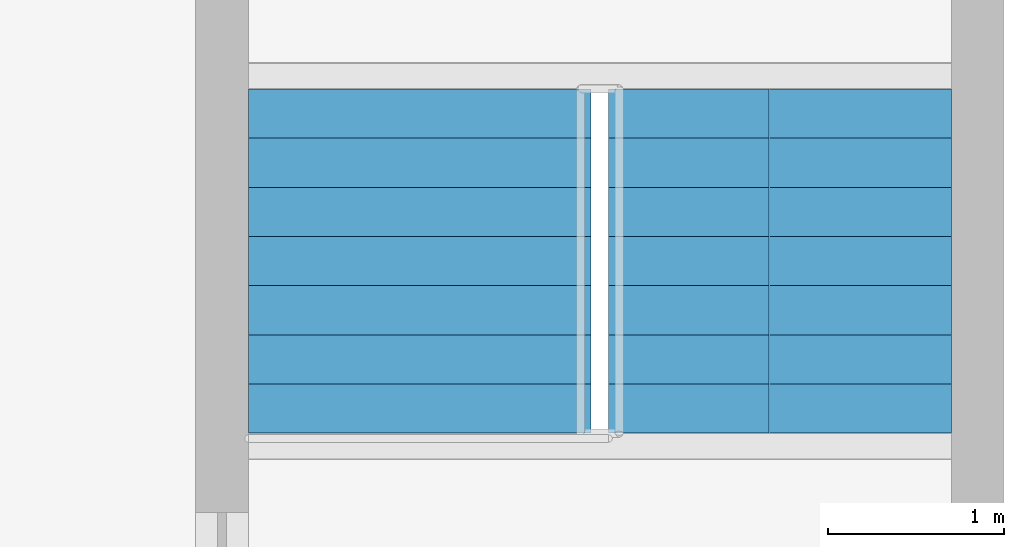
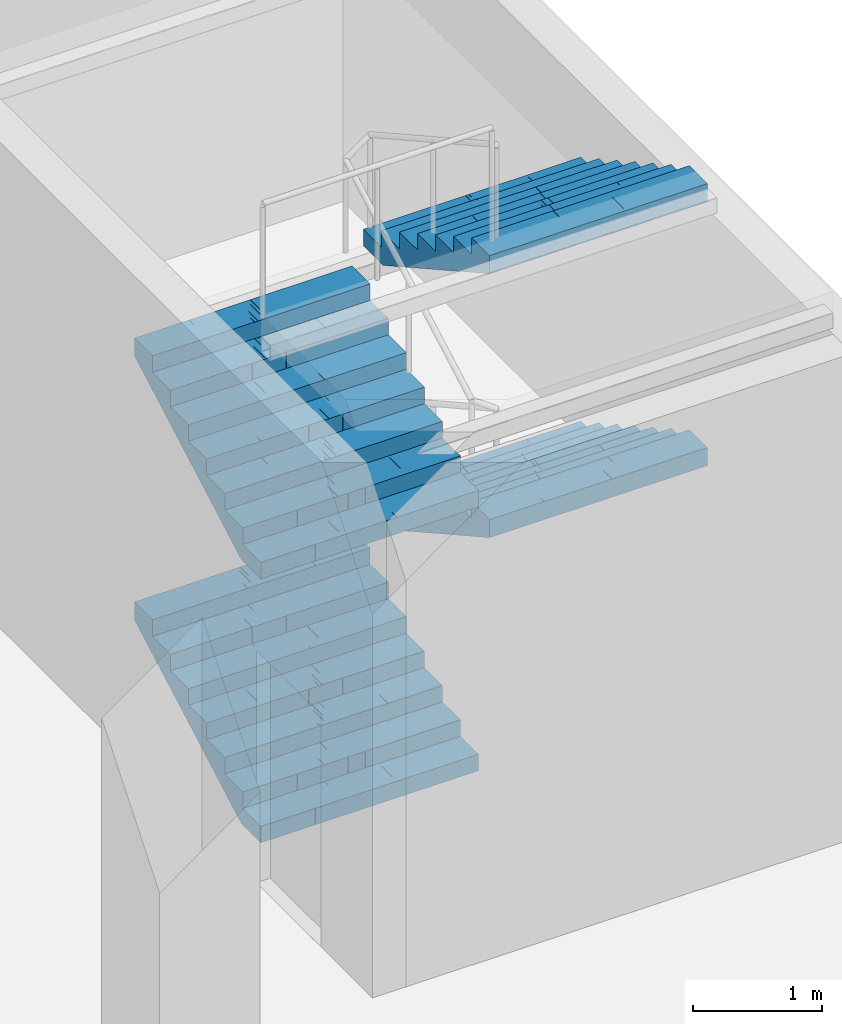
# One storey, part 13 of 20: 4 stair flights, 1 element without a shape of its own.
"""IFC4 building model written with IfcOpenShell, lengths in metres."""

from ifc_helpers import new_model, si_unit, direction, frame, origin, place, context, subcontext, project, spatial, polyline, outline, extrude, material, type_object, element, aggregate, save


model = new_model("IFC4")

# Units and contexts
model_context = context("Model", 3, precision=1e-05, world=origin(), true_north=direction((0.0, 1.0)))
body_context = subcontext(model_context, "Body", "Model", "MODEL_VIEW")
ifc_project = project(units=[si_unit("LENGTHUNIT", "METRE"), si_unit("AREAUNIT", "SQUARE_METRE"), si_unit("VOLUMEUNIT", "CUBIC_METRE"), si_unit("PLANEANGLEUNIT", "RADIAN"), si_unit("MASSUNIT", "GRAM", prefix="KILO")], contexts=[model_context])

# Site, building, storey
site_placement = place(None, origin())
site = spatial("IfcSite", under=ifc_project, at=site_placement, CompositionType="ELEMENT")
building_placement = place(site_placement, origin())
building = spatial("IfcBuilding", under=site, at=building_placement, Name="Mizan Broadcast Tower", CompositionType="ELEMENT")
storey_placement = place(building_placement, frame((0.0, 0.0, -5.0)))
storey = spatial("IfcBuildingStorey", under=building, at=storey_placement, Name="B1", CompositionType="ELEMENT", Elevation=-5.0)

# Stair, stair flights
ifc_material_1 = material(Name="Concrete C40/50", Category="concrete")
stair_type = type_object("IfcStairType", Name="EXIT STAIR", PredefinedType="HALF_TURN_STAIR", material=ifc_material_1)
stair_placement = place(storey_placement, origin())
stair = element("IfcStair", 1, at=stair_placement, inside=storey, type_object=stair_type, Name="Stair H B1", PredefinedType="HALF_TURN_STAIR")
ifc_material_2 = material(Name="Concrete C40/50", Category="concrete")
stair_flight_type = type_object("IfcStairFlightType", Name="EXIT STAIR FLIGHT", PredefinedType="STRAIGHT", material=ifc_material_2)
stair_flight_1_placement = place(storey_placement, frame((44.875, -39.949951171875, 0.0), z_axis=(0.0, 0.0, 1.0), x_axis=(0.0, 1.0, 0.0)))
stair_flight_1 = element("IfcStairFlight", 2, at=stair_flight_1_placement, type_object=stair_flight_type, Name="H flight 1", NumberOfRisers=8, NumberOfTreads=7, PredefinedType="STRAIGHT", RiserHeight=0.15625, TreadLength=0.28, context=body_context, shape_type="SweptSolid", body=[
    extrude(outline(polyline([(0.0, 0.0), (0.0, 0.15625), (0.280029296875, 0.15625), (0.280029296875, 0.3125), (0.56005859375, 0.3125), (0.56005859375, 0.46875), (0.840087890625, 0.46875), (0.840087890625, 0.625), (1.1201171875, 0.625), (1.1201171875, 0.78125), (1.39990234375, 0.78125), (1.39990234375, 0.9375), (1.679931640625, 0.9375), (1.679931640625, 1.09375), (1.9599609375, 1.09375), (1.9599609375, 1.25), (1.9599609375, 0.922119140625), (0.3076171875, 0.0), (0.0, 0.0)])), frame((0.0, 0.97509765625, 0.0), z_axis=(0.0, -1.0, 0.0), x_axis=(1.0, 0.0, 0.0)), (0.0, 0.0, 1.0), 0.4873046875),
    extrude(outline(polyline([(0.0, 0.0), (0.0, 0.15625), (0.280029296875, 0.15625), (0.280029296875, 0.3125), (0.56005859375, 0.3125), (0.56005859375, 0.46875), (0.840087890625, 0.46875), (0.840087890625, 0.625), (1.1201171875, 0.625), (1.1201171875, 0.78125), (1.39990234375, 0.78125), (1.39990234375, 0.9375), (1.679931640625, 0.9375), (1.679931640625, 1.09375), (1.9599609375, 1.09375), (1.9599609375, 1.25), (1.9599609375, 0.922119140625), (0.3076171875, 0.0), (0.0, 0.0)])), frame((0.0, 0.4873046875, 0.0), z_axis=(0.0, -1.0, 0.0), x_axis=(1.0, 0.0, 0.0)), (0.0, 0.0, 1.0), 0.2431640625),
    extrude(outline(polyline([(0.0, 0.0), (0.0, 0.15625), (0.280029296875, 0.15625), (0.280029296875, 0.3125), (0.56005859375, 0.3125), (0.56005859375, 0.46875), (0.840087890625, 0.46875), (0.840087890625, 0.625), (1.1201171875, 0.625), (1.1201171875, 0.78125), (1.39990234375, 0.78125), (1.39990234375, 0.9375), (1.679931640625, 0.9375), (1.679931640625, 1.09375), (1.9599609375, 1.09375), (1.9599609375, 1.25), (1.9599609375, 0.922119140625), (0.3076171875, 0.0), (0.0, 0.0)])), frame((0.0, 0.24365234375, 0.0), z_axis=(0.0, -1.0, 0.0), x_axis=(1.0, 0.0, 0.0)), (0.0, 0.0, 1.0), 0.121337890625),
    extrude(outline(polyline([(0.0, 0.0), (0.0, 0.15625), (0.280029296875, 0.15625), (0.280029296875, 0.3125), (0.56005859375, 0.3125), (0.56005859375, 0.46875), (0.840087890625, 0.46875), (0.840087890625, 0.625), (1.1201171875, 0.625), (1.1201171875, 0.78125), (1.39990234375, 0.78125), (1.39990234375, 0.9375), (1.679931640625, 0.9375), (1.679931640625, 1.09375), (1.9599609375, 1.09375), (1.9599609375, 1.25), (1.9599609375, 0.922119140625), (0.3076171875, 0.0), (0.0, 0.0)])), frame((0.0, 0.121826171875, 0.0), z_axis=(0.0, -1.0, 0.0), x_axis=(1.0, 0.0, 0.0)), (0.0, 0.0, 1.0), 0.060546875),
    extrude(outline(polyline([(0.0, 0.0), (0.0, 0.15625), (0.280029296875, 0.15625), (0.280029296875, 0.3125), (0.56005859375, 0.3125), (0.56005859375, 0.46875), (0.840087890625, 0.46875), (0.840087890625, 0.625), (1.1201171875, 0.625), (1.1201171875, 0.78125), (1.39990234375, 0.78125), (1.39990234375, 0.9375), (1.679931640625, 0.9375), (1.679931640625, 1.09375), (1.9599609375, 1.09375), (1.9599609375, 1.25), (1.9599609375, 0.922119140625), (0.3076171875, 0.0), (0.0, 0.0)])), frame((0.0, 0.060791015625, 0.0), z_axis=(0.0, -1.0, 0.0), x_axis=(1.0, 0.0, 0.0)), (0.0, 0.0, 1.0), 0.030029296875),
    extrude(outline(polyline([(0.0, 0.0), (0.0, 0.15625), (0.280029296875, 0.15625), (0.280029296875, 0.3125), (0.56005859375, 0.3125), (0.56005859375, 0.46875), (0.840087890625, 0.46875), (0.840087890625, 0.625), (1.1201171875, 0.625), (1.1201171875, 0.78125), (1.39990234375, 0.78125), (1.39990234375, 0.9375), (1.679931640625, 0.9375), (1.679931640625, 1.09375), (1.9599609375, 1.09375), (1.9599609375, 1.25), (1.9599609375, 0.922119140625), (0.3076171875, 0.0), (0.0, 0.0)])), frame((0.0, 0.0302734375, 0.0), z_axis=(0.0, -1.0, 0.0), x_axis=(1.0, 0.0, 0.0)), (0.0, 0.0, 1.0), 0.060302734375),
    extrude(outline(polyline([(0.0, 0.0), (0.0, 0.15625), (0.280029296875, 0.15625), (0.280029296875, 0.3125), (0.56005859375, 0.3125), (0.56005859375, 0.46875), (0.840087890625, 0.46875), (0.840087890625, 0.625), (1.1201171875, 0.625), (1.1201171875, 0.78125), (1.39990234375, 0.78125), (1.39990234375, 0.9375), (1.679931640625, 0.9375), (1.679931640625, 1.09375), (1.9599609375, 1.09375), (1.9599609375, 1.25), (1.9599609375, 0.922119140625), (0.3076171875, 0.0), (0.0, 0.0)])), frame((0.0, -0.030517578125, 0.0), z_axis=(0.0, -1.0, 0.0), x_axis=(1.0, 0.0, 0.0)), (0.0, 0.0, 1.0), 0.030029296875),
    extrude(outline(polyline([(0.0, 0.0), (0.0, 0.15625), (0.280029296875, 0.15625), (0.280029296875, 0.3125), (0.56005859375, 0.3125), (0.56005859375, 0.46875), (0.840087890625, 0.46875), (0.840087890625, 0.625), (1.1201171875, 0.625), (1.1201171875, 0.78125), (1.39990234375, 0.78125), (1.39990234375, 0.9375), (1.679931640625, 0.9375), (1.679931640625, 1.09375), (1.9599609375, 1.09375), (1.9599609375, 1.25), (1.9599609375, 0.922119140625), (0.3076171875, 0.0), (0.0, 0.0)])), frame((0.0, -0.06103515625, 0.0), z_axis=(0.0, -1.0, 0.0), x_axis=(1.0, 0.0, 0.0)), (0.0, 0.0, 1.0), 0.060546875),
    extrude(outline(polyline([(0.0, 0.0), (0.0, 0.15625), (0.280029296875, 0.15625), (0.280029296875, 0.3125), (0.56005859375, 0.3125), (0.56005859375, 0.46875), (0.840087890625, 0.46875), (0.840087890625, 0.625), (1.1201171875, 0.625), (1.1201171875, 0.78125), (1.39990234375, 0.78125), (1.39990234375, 0.9375), (1.679931640625, 0.9375), (1.679931640625, 1.09375), (1.9599609375, 1.09375), (1.9599609375, 1.25), (1.9599609375, 0.922119140625), (0.3076171875, 0.0), (0.0, 0.0)])), frame((0.0, -0.1220703125, 0.0), z_axis=(0.0, -1.0, 0.0), x_axis=(1.0, 0.0, 0.0)), (0.0, 0.0, 1.0), 0.121337890625),
    extrude(outline(polyline([(0.0, 0.0), (0.0, 0.15625), (0.280029296875, 0.15625), (0.280029296875, 0.3125), (0.56005859375, 0.3125), (0.56005859375, 0.46875), (0.840087890625, 0.46875), (0.840087890625, 0.625), (1.1201171875, 0.625), (1.1201171875, 0.78125), (1.39990234375, 0.78125), (1.39990234375, 0.9375), (1.679931640625, 0.9375), (1.679931640625, 1.09375), (1.9599609375, 1.09375), (1.9599609375, 1.25), (1.9599609375, 0.922119140625), (0.3076171875, 0.0), (0.0, 0.0)])), frame((0.0, -0.243896484375, 0.0), z_axis=(0.0, -1.0, 0.0), x_axis=(1.0, 0.0, 0.0)), (0.0, 0.0, 1.0), 0.2431640625),
    extrude(outline(polyline([(0.0, 0.0), (0.0, 0.15625), (0.280029296875, 0.15625), (0.280029296875, 0.3125), (0.56005859375, 0.3125), (0.56005859375, 0.46875), (0.840087890625, 0.46875), (0.840087890625, 0.625), (1.1201171875, 0.625), (1.1201171875, 0.78125), (1.39990234375, 0.78125), (1.39990234375, 0.9375), (1.679931640625, 0.9375), (1.679931640625, 1.09375), (1.9599609375, 1.09375), (1.9599609375, 1.25), (1.9599609375, 0.922119140625), (0.3076171875, 0.0), (0.0, 0.0)])), frame((0.0, -0.487548828125, 0.0), z_axis=(0.0, -1.0, 0.0), x_axis=(1.0, 0.0, 0.0)), (0.0, 0.0, 1.0), 0.4873046875),
])
stair_flight_2_placement = place(storey_placement, frame((46.925048828125, -37.989990234375, 1.25), z_axis=(0.0, 0.0, 1.0), x_axis=(0.0, -1.0, 0.0)))
stair_flight_2 = element("IfcStairFlight", 3, at=stair_flight_2_placement, type_object=stair_flight_type, Name="H flight 2", NumberOfRisers=8, NumberOfTreads=7, PredefinedType="STRAIGHT", RiserHeight=0.15625, TreadLength=0.28, context=body_context, shape_type="SweptSolid", body=[
    extrude(outline(polyline([(0.0, 0.0), (0.0, 0.15625), (0.280029296875, 0.15625), (0.280029296875, 0.3125), (0.56005859375, 0.3125), (0.56005859375, 0.46875), (0.840087890625, 0.46875), (0.840087890625, 0.625), (1.1201171875, 0.625), (1.1201171875, 0.78125), (1.39990234375, 0.78125), (1.39990234375, 0.9375), (1.679931640625, 0.9375), (1.679931640625, 1.09375), (1.9599609375, 1.09375), (1.9599609375, 1.25), (1.9599609375, 0.922119140625), (0.3076171875, 0.0), (0.0, 0.0)])), frame((0.0, 0.97509765625, 0.0), z_axis=(0.0, -1.0, 0.0), x_axis=(1.0, 0.0, 0.0)), (0.0, 0.0, 1.0), 0.4873046875),
    extrude(outline(polyline([(0.0, 0.0), (0.0, 0.15625), (0.280029296875, 0.15625), (0.280029296875, 0.3125), (0.56005859375, 0.3125), (0.56005859375, 0.46875), (0.840087890625, 0.46875), (0.840087890625, 0.625), (1.1201171875, 0.625), (1.1201171875, 0.78125), (1.39990234375, 0.78125), (1.39990234375, 0.9375), (1.679931640625, 0.9375), (1.679931640625, 1.09375), (1.9599609375, 1.09375), (1.9599609375, 1.25), (1.9599609375, 0.922119140625), (0.3076171875, 0.0), (0.0, 0.0)])), frame((0.0, 0.4873046875, 0.0), z_axis=(0.0, -1.0, 0.0), x_axis=(1.0, 0.0, 0.0)), (0.0, 0.0, 1.0), 0.2431640625),
    extrude(outline(polyline([(0.0, 0.0), (0.0, 0.15625), (0.280029296875, 0.15625), (0.280029296875, 0.3125), (0.56005859375, 0.3125), (0.56005859375, 0.46875), (0.840087890625, 0.46875), (0.840087890625, 0.625), (1.1201171875, 0.625), (1.1201171875, 0.78125), (1.39990234375, 0.78125), (1.39990234375, 0.9375), (1.679931640625, 0.9375), (1.679931640625, 1.09375), (1.9599609375, 1.09375), (1.9599609375, 1.25), (1.9599609375, 0.922119140625), (0.3076171875, 0.0), (0.0, 0.0)])), frame((0.0, 0.24365234375, 0.0), z_axis=(0.0, -1.0, 0.0), x_axis=(1.0, 0.0, 0.0)), (0.0, 0.0, 1.0), 0.121337890625),
    extrude(outline(polyline([(0.0, 0.0), (0.0, 0.15625), (0.280029296875, 0.15625), (0.280029296875, 0.3125), (0.56005859375, 0.3125), (0.56005859375, 0.46875), (0.840087890625, 0.46875), (0.840087890625, 0.625), (1.1201171875, 0.625), (1.1201171875, 0.78125), (1.39990234375, 0.78125), (1.39990234375, 0.9375), (1.679931640625, 0.9375), (1.679931640625, 1.09375), (1.9599609375, 1.09375), (1.9599609375, 1.25), (1.9599609375, 0.922119140625), (0.3076171875, 0.0), (0.0, 0.0)])), frame((0.0, 0.121826171875, 0.0), z_axis=(0.0, -1.0, 0.0), x_axis=(1.0, 0.0, 0.0)), (0.0, 0.0, 1.0), 0.060546875),
    extrude(outline(polyline([(0.0, 0.0), (0.0, 0.15625), (0.280029296875, 0.15625), (0.280029296875, 0.3125), (0.56005859375, 0.3125), (0.56005859375, 0.46875), (0.840087890625, 0.46875), (0.840087890625, 0.625), (1.1201171875, 0.625), (1.1201171875, 0.78125), (1.39990234375, 0.78125), (1.39990234375, 0.9375), (1.679931640625, 0.9375), (1.679931640625, 1.09375), (1.9599609375, 1.09375), (1.9599609375, 1.25), (1.9599609375, 0.922119140625), (0.3076171875, 0.0), (0.0, 0.0)])), frame((0.0, 0.060791015625, 0.0), z_axis=(0.0, -1.0, 0.0), x_axis=(1.0, 0.0, 0.0)), (0.0, 0.0, 1.0), 0.030029296875),
    extrude(outline(polyline([(0.0, 0.0), (0.0, 0.15625), (0.280029296875, 0.15625), (0.280029296875, 0.3125), (0.56005859375, 0.3125), (0.56005859375, 0.46875), (0.840087890625, 0.46875), (0.840087890625, 0.625), (1.1201171875, 0.625), (1.1201171875, 0.78125), (1.39990234375, 0.78125), (1.39990234375, 0.9375), (1.679931640625, 0.9375), (1.679931640625, 1.09375), (1.9599609375, 1.09375), (1.9599609375, 1.25), (1.9599609375, 0.922119140625), (0.3076171875, 0.0), (0.0, 0.0)])), frame((0.0, 0.0302734375, 0.0), z_axis=(0.0, -1.0, 0.0), x_axis=(1.0, 0.0, 0.0)), (0.0, 0.0, 1.0), 0.060302734375),
    extrude(outline(polyline([(0.0, 0.0), (0.0, 0.15625), (0.280029296875, 0.15625), (0.280029296875, 0.3125), (0.56005859375, 0.3125), (0.56005859375, 0.46875), (0.840087890625, 0.46875), (0.840087890625, 0.625), (1.1201171875, 0.625), (1.1201171875, 0.78125), (1.39990234375, 0.78125), (1.39990234375, 0.9375), (1.679931640625, 0.9375), (1.679931640625, 1.09375), (1.9599609375, 1.09375), (1.9599609375, 1.25), (1.9599609375, 0.922119140625), (0.3076171875, 0.0), (0.0, 0.0)])), frame((0.0, -0.030517578125, 0.0), z_axis=(0.0, -1.0, 0.0), x_axis=(1.0, 0.0, 0.0)), (0.0, 0.0, 1.0), 0.030029296875),
    extrude(outline(polyline([(0.0, 0.0), (0.0, 0.15625), (0.280029296875, 0.15625), (0.280029296875, 0.3125), (0.56005859375, 0.3125), (0.56005859375, 0.46875), (0.840087890625, 0.46875), (0.840087890625, 0.625), (1.1201171875, 0.625), (1.1201171875, 0.78125), (1.39990234375, 0.78125), (1.39990234375, 0.9375), (1.679931640625, 0.9375), (1.679931640625, 1.09375), (1.9599609375, 1.09375), (1.9599609375, 1.25), (1.9599609375, 0.922119140625), (0.3076171875, 0.0), (0.0, 0.0)])), frame((0.0, -0.06103515625, 0.0), z_axis=(0.0, -1.0, 0.0), x_axis=(1.0, 0.0, 0.0)), (0.0, 0.0, 1.0), 0.060546875),
    extrude(outline(polyline([(0.0, 0.0), (0.0, 0.15625), (0.280029296875, 0.15625), (0.280029296875, 0.3125), (0.56005859375, 0.3125), (0.56005859375, 0.46875), (0.840087890625, 0.46875), (0.840087890625, 0.625), (1.1201171875, 0.625), (1.1201171875, 0.78125), (1.39990234375, 0.78125), (1.39990234375, 0.9375), (1.679931640625, 0.9375), (1.679931640625, 1.09375), (1.9599609375, 1.09375), (1.9599609375, 1.25), (1.9599609375, 0.922119140625), (0.3076171875, 0.0), (0.0, 0.0)])), frame((0.0, -0.1220703125, 0.0), z_axis=(0.0, -1.0, 0.0), x_axis=(1.0, 0.0, 0.0)), (0.0, 0.0, 1.0), 0.121337890625),
    extrude(outline(polyline([(0.0, 0.0), (0.0, 0.15625), (0.280029296875, 0.15625), (0.280029296875, 0.3125), (0.56005859375, 0.3125), (0.56005859375, 0.46875), (0.840087890625, 0.46875), (0.840087890625, 0.625), (1.1201171875, 0.625), (1.1201171875, 0.78125), (1.39990234375, 0.78125), (1.39990234375, 0.9375), (1.679931640625, 0.9375), (1.679931640625, 1.09375), (1.9599609375, 1.09375), (1.9599609375, 1.25), (1.9599609375, 0.922119140625), (0.3076171875, 0.0), (0.0, 0.0)])), frame((0.0, -0.243896484375, 0.0), z_axis=(0.0, -1.0, 0.0), x_axis=(1.0, 0.0, 0.0)), (0.0, 0.0, 1.0), 0.2431640625),
    extrude(outline(polyline([(0.0, 0.0), (0.0, 0.15625), (0.280029296875, 0.15625), (0.280029296875, 0.3125), (0.56005859375, 0.3125), (0.56005859375, 0.46875), (0.840087890625, 0.46875), (0.840087890625, 0.625), (1.1201171875, 0.625), (1.1201171875, 0.78125), (1.39990234375, 0.78125), (1.39990234375, 0.9375), (1.679931640625, 0.9375), (1.679931640625, 1.09375), (1.9599609375, 1.09375), (1.9599609375, 1.25), (1.9599609375, 0.922119140625), (0.3076171875, 0.0), (0.0, 0.0)])), frame((0.0, -0.487548828125, 0.0), z_axis=(0.0, -1.0, 0.0), x_axis=(1.0, 0.0, 0.0)), (0.0, 0.0, 1.0), 0.4873046875),
])
stair_flight_3_placement = place(storey_placement, frame((44.875, -39.949951171875, 2.5), z_axis=(0.0, 0.0, 1.0), x_axis=(0.0, 1.0, 0.0)))
stair_flight_3 = element("IfcStairFlight", 4, at=stair_flight_3_placement, type_object=stair_flight_type, Name="H flight 3", NumberOfRisers=8, NumberOfTreads=7, PredefinedType="STRAIGHT", RiserHeight=0.15625, TreadLength=0.28, context=body_context, shape_type="SweptSolid", body=[
    extrude(outline(polyline([(0.0, 0.0), (0.0, 0.15625), (0.280029296875, 0.15625), (0.280029296875, 0.3125), (0.56005859375, 0.3125), (0.56005859375, 0.46875), (0.840087890625, 0.46875), (0.840087890625, 0.625), (1.1201171875, 0.625), (1.1201171875, 0.78125), (1.39990234375, 0.78125), (1.39990234375, 0.9375), (1.679931640625, 0.9375), (1.679931640625, 1.09375), (1.9599609375, 1.09375), (1.9599609375, 1.25), (1.9599609375, 0.922119140625), (0.3076171875, 0.0), (0.0, 0.0)])), frame((0.0, 0.97509765625, 0.0), z_axis=(0.0, -1.0, 0.0), x_axis=(1.0, 0.0, 0.0)), (0.0, 0.0, 1.0), 0.4873046875),
    extrude(outline(polyline([(0.0, 0.0), (0.0, 0.15625), (0.280029296875, 0.15625), (0.280029296875, 0.3125), (0.56005859375, 0.3125), (0.56005859375, 0.46875), (0.840087890625, 0.46875), (0.840087890625, 0.625), (1.1201171875, 0.625), (1.1201171875, 0.78125), (1.39990234375, 0.78125), (1.39990234375, 0.9375), (1.679931640625, 0.9375), (1.679931640625, 1.09375), (1.9599609375, 1.09375), (1.9599609375, 1.25), (1.9599609375, 0.922119140625), (0.3076171875, 0.0), (0.0, 0.0)])), frame((0.0, 0.4873046875, 0.0), z_axis=(0.0, -1.0, 0.0), x_axis=(1.0, 0.0, 0.0)), (0.0, 0.0, 1.0), 0.2431640625),
    extrude(outline(polyline([(0.0, 0.0), (0.0, 0.15625), (0.280029296875, 0.15625), (0.280029296875, 0.3125), (0.56005859375, 0.3125), (0.56005859375, 0.46875), (0.840087890625, 0.46875), (0.840087890625, 0.625), (1.1201171875, 0.625), (1.1201171875, 0.78125), (1.39990234375, 0.78125), (1.39990234375, 0.9375), (1.679931640625, 0.9375), (1.679931640625, 1.09375), (1.9599609375, 1.09375), (1.9599609375, 1.25), (1.9599609375, 0.922119140625), (0.3076171875, 0.0), (0.0, 0.0)])), frame((0.0, 0.24365234375, 0.0), z_axis=(0.0, -1.0, 0.0), x_axis=(1.0, 0.0, 0.0)), (0.0, 0.0, 1.0), 0.121337890625),
    extrude(outline(polyline([(0.0, 0.0), (0.0, 0.15625), (0.280029296875, 0.15625), (0.280029296875, 0.3125), (0.56005859375, 0.3125), (0.56005859375, 0.46875), (0.840087890625, 0.46875), (0.840087890625, 0.625), (1.1201171875, 0.625), (1.1201171875, 0.78125), (1.39990234375, 0.78125), (1.39990234375, 0.9375), (1.679931640625, 0.9375), (1.679931640625, 1.09375), (1.9599609375, 1.09375), (1.9599609375, 1.25), (1.9599609375, 0.922119140625), (0.3076171875, 0.0), (0.0, 0.0)])), frame((0.0, 0.121826171875, 0.0), z_axis=(0.0, -1.0, 0.0), x_axis=(1.0, 0.0, 0.0)), (0.0, 0.0, 1.0), 0.060546875),
    extrude(outline(polyline([(0.0, 0.0), (0.0, 0.15625), (0.280029296875, 0.15625), (0.280029296875, 0.3125), (0.56005859375, 0.3125), (0.56005859375, 0.46875), (0.840087890625, 0.46875), (0.840087890625, 0.625), (1.1201171875, 0.625), (1.1201171875, 0.78125), (1.39990234375, 0.78125), (1.39990234375, 0.9375), (1.679931640625, 0.9375), (1.679931640625, 1.09375), (1.9599609375, 1.09375), (1.9599609375, 1.25), (1.9599609375, 0.922119140625), (0.3076171875, 0.0), (0.0, 0.0)])), frame((0.0, 0.060791015625, 0.0), z_axis=(0.0, -1.0, 0.0), x_axis=(1.0, 0.0, 0.0)), (0.0, 0.0, 1.0), 0.030029296875),
    extrude(outline(polyline([(0.0, 0.0), (0.0, 0.15625), (0.280029296875, 0.15625), (0.280029296875, 0.3125), (0.56005859375, 0.3125), (0.56005859375, 0.46875), (0.840087890625, 0.46875), (0.840087890625, 0.625), (1.1201171875, 0.625), (1.1201171875, 0.78125), (1.39990234375, 0.78125), (1.39990234375, 0.9375), (1.679931640625, 0.9375), (1.679931640625, 1.09375), (1.9599609375, 1.09375), (1.9599609375, 1.25), (1.9599609375, 0.922119140625), (0.3076171875, 0.0), (0.0, 0.0)])), frame((0.0, 0.0302734375, 0.0), z_axis=(0.0, -1.0, 0.0), x_axis=(1.0, 0.0, 0.0)), (0.0, 0.0, 1.0), 0.060302734375),
    extrude(outline(polyline([(0.0, 0.0), (0.0, 0.15625), (0.280029296875, 0.15625), (0.280029296875, 0.3125), (0.56005859375, 0.3125), (0.56005859375, 0.46875), (0.840087890625, 0.46875), (0.840087890625, 0.625), (1.1201171875, 0.625), (1.1201171875, 0.78125), (1.39990234375, 0.78125), (1.39990234375, 0.9375), (1.679931640625, 0.9375), (1.679931640625, 1.09375), (1.9599609375, 1.09375), (1.9599609375, 1.25), (1.9599609375, 0.922119140625), (0.3076171875, 0.0), (0.0, 0.0)])), frame((0.0, -0.030517578125, 0.0), z_axis=(0.0, -1.0, 0.0), x_axis=(1.0, 0.0, 0.0)), (0.0, 0.0, 1.0), 0.030029296875),
    extrude(outline(polyline([(0.0, 0.0), (0.0, 0.15625), (0.280029296875, 0.15625), (0.280029296875, 0.3125), (0.56005859375, 0.3125), (0.56005859375, 0.46875), (0.840087890625, 0.46875), (0.840087890625, 0.625), (1.1201171875, 0.625), (1.1201171875, 0.78125), (1.39990234375, 0.78125), (1.39990234375, 0.9375), (1.679931640625, 0.9375), (1.679931640625, 1.09375), (1.9599609375, 1.09375), (1.9599609375, 1.25), (1.9599609375, 0.922119140625), (0.3076171875, 0.0), (0.0, 0.0)])), frame((0.0, -0.06103515625, 0.0), z_axis=(0.0, -1.0, 0.0), x_axis=(1.0, 0.0, 0.0)), (0.0, 0.0, 1.0), 0.060546875),
    extrude(outline(polyline([(0.0, 0.0), (0.0, 0.15625), (0.280029296875, 0.15625), (0.280029296875, 0.3125), (0.56005859375, 0.3125), (0.56005859375, 0.46875), (0.840087890625, 0.46875), (0.840087890625, 0.625), (1.1201171875, 0.625), (1.1201171875, 0.78125), (1.39990234375, 0.78125), (1.39990234375, 0.9375), (1.679931640625, 0.9375), (1.679931640625, 1.09375), (1.9599609375, 1.09375), (1.9599609375, 1.25), (1.9599609375, 0.922119140625), (0.3076171875, 0.0), (0.0, 0.0)])), frame((0.0, -0.1220703125, 0.0), z_axis=(0.0, -1.0, 0.0), x_axis=(1.0, 0.0, 0.0)), (0.0, 0.0, 1.0), 0.121337890625),
    extrude(outline(polyline([(0.0, 0.0), (0.0, 0.15625), (0.280029296875, 0.15625), (0.280029296875, 0.3125), (0.56005859375, 0.3125), (0.56005859375, 0.46875), (0.840087890625, 0.46875), (0.840087890625, 0.625), (1.1201171875, 0.625), (1.1201171875, 0.78125), (1.39990234375, 0.78125), (1.39990234375, 0.9375), (1.679931640625, 0.9375), (1.679931640625, 1.09375), (1.9599609375, 1.09375), (1.9599609375, 1.25), (1.9599609375, 0.922119140625), (0.3076171875, 0.0), (0.0, 0.0)])), frame((0.0, -0.243896484375, 0.0), z_axis=(0.0, -1.0, 0.0), x_axis=(1.0, 0.0, 0.0)), (0.0, 0.0, 1.0), 0.2431640625),
    extrude(outline(polyline([(0.0, 0.0), (0.0, 0.15625), (0.280029296875, 0.15625), (0.280029296875, 0.3125), (0.56005859375, 0.3125), (0.56005859375, 0.46875), (0.840087890625, 0.46875), (0.840087890625, 0.625), (1.1201171875, 0.625), (1.1201171875, 0.78125), (1.39990234375, 0.78125), (1.39990234375, 0.9375), (1.679931640625, 0.9375), (1.679931640625, 1.09375), (1.9599609375, 1.09375), (1.9599609375, 1.25), (1.9599609375, 0.922119140625), (0.3076171875, 0.0), (0.0, 0.0)])), frame((0.0, -0.487548828125, 0.0), z_axis=(0.0, -1.0, 0.0), x_axis=(1.0, 0.0, 0.0)), (0.0, 0.0, 1.0), 0.4873046875),
])
stair_flight_4_placement = place(storey_placement, frame((46.925048828125, -37.989990234375, 3.75), z_axis=(0.0, 0.0, 1.0), x_axis=(0.0, -1.0, 0.0)))
stair_flight_4 = element("IfcStairFlight", 5, at=stair_flight_4_placement, type_object=stair_flight_type, Name="H flight 4", NumberOfRisers=8, NumberOfTreads=7, PredefinedType="STRAIGHT", RiserHeight=0.15625, TreadLength=0.28, context=body_context, shape_type="SweptSolid", body=[
    extrude(outline(polyline([(0.0, 0.0), (0.0, 0.15625), (0.280029296875, 0.15625), (0.280029296875, 0.3125), (0.56005859375, 0.3125), (0.56005859375, 0.46875), (0.840087890625, 0.46875), (0.840087890625, 0.625), (1.1201171875, 0.625), (1.1201171875, 0.78125), (1.39990234375, 0.78125), (1.39990234375, 0.9375), (1.679931640625, 0.9375), (1.679931640625, 1.09375), (1.9599609375, 1.09375), (1.9599609375, 1.25), (1.9599609375, 0.922119140625), (0.3076171875, 0.0), (0.0, 0.0)])), frame((0.0, 0.97509765625, 0.0), z_axis=(0.0, -1.0, 0.0), x_axis=(1.0, 0.0, 0.0)), (0.0, 0.0, 1.0), 0.4873046875),
    extrude(outline(polyline([(0.0, 0.0), (0.0, 0.15625), (0.280029296875, 0.15625), (0.280029296875, 0.3125), (0.56005859375, 0.3125), (0.56005859375, 0.46875), (0.840087890625, 0.46875), (0.840087890625, 0.625), (1.1201171875, 0.625), (1.1201171875, 0.78125), (1.39990234375, 0.78125), (1.39990234375, 0.9375), (1.679931640625, 0.9375), (1.679931640625, 1.09375), (1.9599609375, 1.09375), (1.9599609375, 1.25), (1.9599609375, 0.922119140625), (0.3076171875, 0.0), (0.0, 0.0)])), frame((0.0, 0.4873046875, 0.0), z_axis=(0.0, -1.0, 0.0), x_axis=(1.0, 0.0, 0.0)), (0.0, 0.0, 1.0), 0.2431640625),
    extrude(outline(polyline([(0.0, 0.0), (0.0, 0.15625), (0.280029296875, 0.15625), (0.280029296875, 0.3125), (0.56005859375, 0.3125), (0.56005859375, 0.46875), (0.840087890625, 0.46875), (0.840087890625, 0.625), (1.1201171875, 0.625), (1.1201171875, 0.78125), (1.39990234375, 0.78125), (1.39990234375, 0.9375), (1.679931640625, 0.9375), (1.679931640625, 1.09375), (1.9599609375, 1.09375), (1.9599609375, 1.25), (1.9599609375, 0.922119140625), (0.3076171875, 0.0), (0.0, 0.0)])), frame((0.0, 0.24365234375, 0.0), z_axis=(0.0, -1.0, 0.0), x_axis=(1.0, 0.0, 0.0)), (0.0, 0.0, 1.0), 0.121337890625),
    extrude(outline(polyline([(0.0, 0.0), (0.0, 0.15625), (0.280029296875, 0.15625), (0.280029296875, 0.3125), (0.56005859375, 0.3125), (0.56005859375, 0.46875), (0.840087890625, 0.46875), (0.840087890625, 0.625), (1.1201171875, 0.625), (1.1201171875, 0.78125), (1.39990234375, 0.78125), (1.39990234375, 0.9375), (1.679931640625, 0.9375), (1.679931640625, 1.09375), (1.9599609375, 1.09375), (1.9599609375, 1.25), (1.9599609375, 0.922119140625), (0.3076171875, 0.0), (0.0, 0.0)])), frame((0.0, 0.121826171875, 0.0), z_axis=(0.0, -1.0, 0.0), x_axis=(1.0, 0.0, 0.0)), (0.0, 0.0, 1.0), 0.060546875),
    extrude(outline(polyline([(0.0, 0.0), (0.0, 0.15625), (0.280029296875, 0.15625), (0.280029296875, 0.3125), (0.56005859375, 0.3125), (0.56005859375, 0.46875), (0.840087890625, 0.46875), (0.840087890625, 0.625), (1.1201171875, 0.625), (1.1201171875, 0.78125), (1.39990234375, 0.78125), (1.39990234375, 0.9375), (1.679931640625, 0.9375), (1.679931640625, 1.09375), (1.9599609375, 1.09375), (1.9599609375, 1.25), (1.9599609375, 0.922119140625), (0.3076171875, 0.0), (0.0, 0.0)])), frame((0.0, 0.060791015625, 0.0), z_axis=(0.0, -1.0, 0.0), x_axis=(1.0, 0.0, 0.0)), (0.0, 0.0, 1.0), 0.030029296875),
    extrude(outline(polyline([(0.0, 0.0), (0.0, 0.15625), (0.280029296875, 0.15625), (0.280029296875, 0.3125), (0.56005859375, 0.3125), (0.56005859375, 0.46875), (0.840087890625, 0.46875), (0.840087890625, 0.625), (1.1201171875, 0.625), (1.1201171875, 0.78125), (1.39990234375, 0.78125), (1.39990234375, 0.9375), (1.679931640625, 0.9375), (1.679931640625, 1.09375), (1.9599609375, 1.09375), (1.9599609375, 1.25), (1.9599609375, 0.922119140625), (0.3076171875, 0.0), (0.0, 0.0)])), frame((0.0, 0.0302734375, 0.0), z_axis=(0.0, -1.0, 0.0), x_axis=(1.0, 0.0, 0.0)), (0.0, 0.0, 1.0), 0.060302734375),
    extrude(outline(polyline([(0.0, 0.0), (0.0, 0.15625), (0.280029296875, 0.15625), (0.280029296875, 0.3125), (0.56005859375, 0.3125), (0.56005859375, 0.46875), (0.840087890625, 0.46875), (0.840087890625, 0.625), (1.1201171875, 0.625), (1.1201171875, 0.78125), (1.39990234375, 0.78125), (1.39990234375, 0.9375), (1.679931640625, 0.9375), (1.679931640625, 1.09375), (1.9599609375, 1.09375), (1.9599609375, 1.25), (1.9599609375, 0.922119140625), (0.3076171875, 0.0), (0.0, 0.0)])), frame((0.0, -0.030517578125, 0.0), z_axis=(0.0, -1.0, 0.0), x_axis=(1.0, 0.0, 0.0)), (0.0, 0.0, 1.0), 0.030029296875),
    extrude(outline(polyline([(0.0, 0.0), (0.0, 0.15625), (0.280029296875, 0.15625), (0.280029296875, 0.3125), (0.56005859375, 0.3125), (0.56005859375, 0.46875), (0.840087890625, 0.46875), (0.840087890625, 0.625), (1.1201171875, 0.625), (1.1201171875, 0.78125), (1.39990234375, 0.78125), (1.39990234375, 0.9375), (1.679931640625, 0.9375), (1.679931640625, 1.09375), (1.9599609375, 1.09375), (1.9599609375, 1.25), (1.9599609375, 0.922119140625), (0.3076171875, 0.0), (0.0, 0.0)])), frame((0.0, -0.06103515625, 0.0), z_axis=(0.0, -1.0, 0.0), x_axis=(1.0, 0.0, 0.0)), (0.0, 0.0, 1.0), 0.060546875),
    extrude(outline(polyline([(0.0, 0.0), (0.0, 0.15625), (0.280029296875, 0.15625), (0.280029296875, 0.3125), (0.56005859375, 0.3125), (0.56005859375, 0.46875), (0.840087890625, 0.46875), (0.840087890625, 0.625), (1.1201171875, 0.625), (1.1201171875, 0.78125), (1.39990234375, 0.78125), (1.39990234375, 0.9375), (1.679931640625, 0.9375), (1.679931640625, 1.09375), (1.9599609375, 1.09375), (1.9599609375, 1.25), (1.9599609375, 0.922119140625), (0.3076171875, 0.0), (0.0, 0.0)])), frame((0.0, -0.1220703125, 0.0), z_axis=(0.0, -1.0, 0.0), x_axis=(1.0, 0.0, 0.0)), (0.0, 0.0, 1.0), 0.121337890625),
    extrude(outline(polyline([(0.0, 0.0), (0.0, 0.15625), (0.280029296875, 0.15625), (0.280029296875, 0.3125), (0.56005859375, 0.3125), (0.56005859375, 0.46875), (0.840087890625, 0.46875), (0.840087890625, 0.625), (1.1201171875, 0.625), (1.1201171875, 0.78125), (1.39990234375, 0.78125), (1.39990234375, 0.9375), (1.679931640625, 0.9375), (1.679931640625, 1.09375), (1.9599609375, 1.09375), (1.9599609375, 1.25), (1.9599609375, 0.922119140625), (0.3076171875, 0.0), (0.0, 0.0)])), frame((0.0, -0.243896484375, 0.0), z_axis=(0.0, -1.0, 0.0), x_axis=(1.0, 0.0, 0.0)), (0.0, 0.0, 1.0), 0.2431640625),
    extrude(outline(polyline([(0.0, 0.0), (0.0, 0.15625), (0.280029296875, 0.15625), (0.280029296875, 0.3125), (0.56005859375, 0.3125), (0.56005859375, 0.46875), (0.840087890625, 0.46875), (0.840087890625, 0.625), (1.1201171875, 0.625), (1.1201171875, 0.78125), (1.39990234375, 0.78125), (1.39990234375, 0.9375), (1.679931640625, 0.9375), (1.679931640625, 1.09375), (1.9599609375, 1.09375), (1.9599609375, 1.25), (1.9599609375, 0.922119140625), (0.3076171875, 0.0), (0.0, 0.0)])), frame((0.0, -0.487548828125, 0.0), z_axis=(0.0, -1.0, 0.0), x_axis=(1.0, 0.0, 0.0)), (0.0, 0.0, 1.0), 0.4873046875),
])
aggregate(stair, [stair_flight_1, stair_flight_2, stair_flight_3, stair_flight_4])

save(model, "model.ifc")
